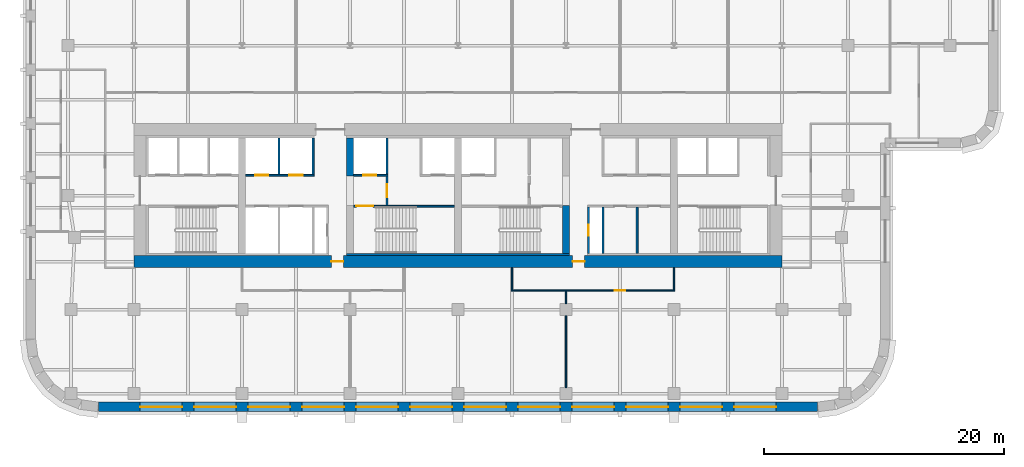
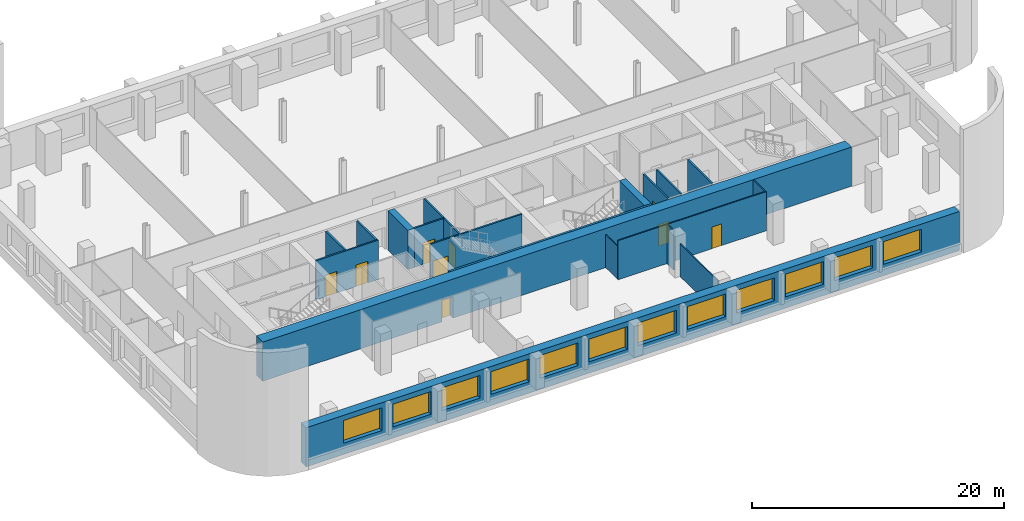
# One storey, part 4 of 9: 20 walls, 12 windows, 9 doors, 21 openings.
"""IFC4 building model written with IfcOpenShell, lengths in metres."""

from ifc_helpers import new_model, si_unit, direction, frame, frame_2d, origin, place, context, subcontext, project, spatial, rectangle, extrude, material, layer, layer_set, type_object, element, fill, save


model = new_model("IFC4")

# Units and contexts
model_context = context("Model", 3, precision=1e-05, world=origin(), true_north=direction((0.0, 1.0)))
body_context = subcontext(model_context, "Body", "Model", "MODEL_VIEW")
ifc_project = project(units=[si_unit("LENGTHUNIT", "METRE"), si_unit("AREAUNIT", "SQUARE_METRE"), si_unit("VOLUMEUNIT", "CUBIC_METRE"), si_unit("PLANEANGLEUNIT", "RADIAN"), si_unit("MASSUNIT", "GRAM", prefix="KILO")], contexts=[model_context])

# Site, building, storey
site_placement = place(None, origin())
site = spatial("IfcSite", under=ifc_project, at=site_placement, CompositionType="ELEMENT")
building_placement = place(site_placement, origin())
building = spatial("IfcBuilding", under=site, at=building_placement, Name="Zellij Exchange Tower", CompositionType="ELEMENT")
storey_placement = place(building_placement, frame((0.0, 0.0, 132.5)))
storey = spatial("IfcBuildingStorey", under=building, at=storey_placement, Name="L29", CompositionType="ELEMENT", Elevation=132.5)

# Walls
ifc_material_1 = material(Name="Concrete C70/85", Category="concrete")
ifc_layer_1 = layer(ifc_material_1, 0.60009765625)
ifc_layer_set_1 = layer_set([ifc_layer_1], Name="Concrete C70/85")
wall_type_1 = type_object("IfcWallType", Name="CORE-CW 600 C70/85", PredefinedType="SHEAR", material=ifc_layer_set_1)
wall_1_placement = place(storey_placement, frame((-9.0, -6.375, 0.0), z_axis=(0.0, 0.0, 1.0), x_axis=(0.0, 1.0, 0.0)))
element("IfcWall", 1, at=wall_1_placement, inside=storey, type_object=wall_type_1, Name="Core cross wall pier x -9 b L29", PredefinedType="SHEAR", context=body_context, shape_type="SweptSolid", body=[
    extrude(rectangle(XDim=3.175048828125, YDim=0.60009765625, at=frame_2d((1.58740234375, 0.0))), origin(), (0.0, 0.0, 1.0), 3.800048828125),
])
wall_2_placement = place(storey_placement, frame((9.0, -12.800048828125, 0.0), z_axis=(0.0, 0.0, 1.0), x_axis=(0.0, 1.0, 0.0)))
element("IfcWall", 2, at=wall_2_placement, inside=storey, type_object=wall_type_1, Name="Core cross wall pier x 9 a L29", PredefinedType="SHEAR", context=body_context, shape_type="SweptSolid", body=[
    extrude(rectangle(XDim=4.0, YDim=0.60009765625, at=frame_2d((2.0, 0.0))), origin(), (0.0, 0.0, 1.0), 3.800048828125),
])
ifc_material_2 = material(Name="Concrete C30/37", Category="concrete")
ifc_layer_2 = layer(ifc_material_2, 0.199951171875)
ifc_layer_set_2 = layer_set([ifc_layer_2], Name="Concrete C30/37")
wall_type_2 = type_object("IfcWallType", Name="CORE-LW 200 C30/37", PredefinedType="SHEAR", material=ifc_layer_set_2)
wall_3_placement = place(storey_placement, frame((-9.300048828125, -12.89990234375, 0.0), z_axis=(0.0, 0.0, 1.0), x_axis=(1.0, 0.0, 0.0)))
element("IfcWall", 3, at=wall_3_placement, inside=storey, type_object=wall_type_2, Name="Core wall lining rear.1 L29", PredefinedType="SHEAR", context=body_context, shape_type="SweptSolid", body=[
    extrude(rectangle(XDim=18.60009765625, YDim=0.199951171875, at=frame_2d((9.300048828125, 0.0))), origin(), (0.0, 0.0, 1.0), 3.800048828125),
])

# Wall, opening, door
ifc_material_3 = material(Name="Gypsum shaft wall system")
ifc_layer_3 = layer(ifc_material_3, 0.14990234375)
ifc_layer_set_3 = layer_set([ifc_layer_3], Name="Gypsum shaft wall system")
wall_type_3 = type_object("IfcWallType", Name="CORE-PW 150 Firefighting lobby wall", PredefinedType="PARTITIONING", material=ifc_layer_set_3)
wall_4_placement = place(storey_placement, frame((-5.925048828125, -8.800048828125, 0.0), z_axis=(0.0, 0.0, 1.0), x_axis=(0.0, 1.0, 0.0)))
wall_4 = element("IfcWall", 4, at=wall_4_placement, inside=storey, type_object=wall_type_3, Name="Firefighting lobby wall L29", PredefinedType="PARTITIONING", context=body_context, shape_type="SweptSolid", body=[
    extrude(rectangle(XDim=2.425048828125, YDim=0.14990234375, at=frame_2d((1.21240234375, 0.0))), origin(), (0.0, 0.0, 1.0), 3.800048828125),
])
opening_1_placement = place(wall_4_placement, frame((0.662109375, 0.0, 0.0)))
opening_1 = element("IfcOpeningElement", 5, at=opening_1_placement, cuts=wall_4, Name="Opening CA-15.15", PredefinedType="OPENING", context=body_context, shape_type="SweptSolid", body=[
    extrude(rectangle(XDim=1.10009765625, YDim=2.10009765625, at=frame_2d((0.550048828125, 1.050048828125))), frame((0.0, 0.0869140625, 0.0), z_axis=(0.0, -1.0, 0.0), x_axis=(1.0, 0.0, 0.0)), (0.0, 0.0, 1.0), 0.173828125),
])
ifc_material_4 = material(Name="Hollow metal fire door")
door_type_1 = type_object("IfcDoorType", Name="CORE-D F Firefighting lobby door 1100x2100 1 HR", OperationType="NOTDEFINED", PredefinedType="DOOR", material=ifc_material_4)
door_1_placement = place(opening_1_placement, origin())
door_1 = element("IfcDoor", 6, at=door_1_placement, inside=storey, type_object=door_type_1, Name="Firefighting lobby door CA-15.15", OperationType="SINGLE_SWING_LEFT", OverallHeight=2.10009765625, OverallWidth=1.10009765625, PredefinedType="DOOR", context=body_context, shape_type="SweptSolid", body=[
    extrude(rectangle(XDim=1.10009765625, YDim=2.10009765625, at=frame_2d((0.550048828125, 1.050048828125))), frame((0.0, 0.02490234375, 0.0), z_axis=(0.0, -1.0, 0.0), x_axis=(1.0, 0.0, 0.0)), (0.0, 0.0, 1.0), 0.050048828125),
])
fill(opening_1, door_1)

ifc_material_5 = material(Name="Gypsum board partition")
ifc_layer_4 = layer(ifc_material_5, 0.14990234375)
ifc_layer_set_4 = layer_set([ifc_layer_4], Name="Gypsum board partition")
wall_type_4 = type_object("IfcWallType", Name="CORE-PW 150 Lift lobby wall", PredefinedType="PARTITIONING", material=ifc_layer_set_4)
wall_5_placement = place(storey_placement, frame((10.875, -12.800048828125, 0.0), z_axis=(0.0, 0.0, 1.0), x_axis=(0.0, 1.0, 0.0)))
wall_5 = element("IfcWall", 7, at=wall_5_placement, inside=storey, type_object=wall_type_4, Name="Lift lobby wall L29", PredefinedType="PARTITIONING", context=body_context, shape_type="SweptSolid", body=[
    extrude(rectangle(XDim=3.85009765625, YDim=0.14990234375, at=frame_2d((1.925048828125, 0.0))), origin(), (0.0, 0.0, 1.0), 3.800048828125),
])
opening_2_placement = place(wall_5_placement, frame((1.47509765625, 0.0, 0.0)))
opening_2 = element("IfcOpeningElement", 8, at=opening_2_placement, cuts=wall_5, Name="Opening CA-15.22", PredefinedType="OPENING", context=body_context, shape_type="SweptSolid", body=[
    extrude(rectangle(XDim=0.89990234375, YDim=2.10009765625, at=frame_2d((0.449951171875, 1.050048828125))), frame((0.0, 0.0869140625, 0.0), z_axis=(0.0, -1.0, 0.0), x_axis=(1.0, 0.0, 0.0)), (0.0, 0.0, 1.0), 0.173828125),
])
door_type_2 = type_object("IfcDoorType", Name="CORE-D RD Riser door 900x2100 1.5 HR", OperationType="NOTDEFINED", PredefinedType="DOOR", material=ifc_material_4)
door_2_placement = place(opening_2_placement, origin())
door_2 = element("IfcDoor", 9, at=door_2_placement, inside=storey, type_object=door_type_2, Name="Riser door CA-15.22", OperationType="SINGLE_SWING_LEFT", OverallHeight=2.10009765625, OverallWidth=0.89990234375, PredefinedType="DOOR", context=body_context, shape_type="SweptSolid", body=[
    extrude(rectangle(XDim=0.89990234375, YDim=2.10009765625, at=frame_2d((0.449951171875, 1.050048828125))), frame((0.0, 0.02490234375, 0.0), z_axis=(0.0, -1.0, 0.0), x_axis=(1.0, 0.0, 0.0)), (0.0, 0.0, 1.0), 0.050048828125),
])
fill(opening_2, door_2)

# Walls
for number, where, z_axis, x_axis, name in (
    (10, (12.074951171875, -12.800048828125, 0.0), (0.0, 0.0, 1.0), (0.0, 1.0, 0.0), "Lift lobby wall L29"),
    (11, (14.925048828125, -12.800048828125, 0.0), (0.0, 0.0, 1.0), (0.0, 1.0, 0.0), "Lift lobby wall L29"),
):
    element("IfcWall", number, at=place(storey_placement, frame(where, z_axis=z_axis, x_axis=x_axis)), inside=storey, type_object=wall_type_4, Name=name, PredefinedType="PARTITIONING", context=body_context, shape_type="SweptSolid", body=[
        extrude(rectangle(XDim=3.85009765625, YDim=0.14990234375, at=frame_2d((1.925048828125, 0.0))), origin(), (0.0, 0.0, 1.0), 3.800048828125),
    ])
ifc_layer_5 = layer(ifc_material_3, 0.14990234375)
ifc_layer_set_5 = layer_set([ifc_layer_5], Name="Gypsum shaft wall system")
wall_type_5 = type_object("IfcWallType", Name="CORE-PW 150 Lift shaft wall", PredefinedType="PARTITIONING", material=ifc_layer_set_5)
for number, where, z_axis, x_axis, name in (
    (12, (-12.074951171875, -6.22509765625, 0.0), (0.0, 0.0, 1.0), (0.0, 1.0, 0.0), "Lift shaft wall L29"),
    (13, (-14.925048828125, -6.22509765625, 0.0), (0.0, 0.0, 1.0), (0.0, 1.0, 0.0), "Lift shaft wall L29"),
    (14, (-5.925048828125, -6.22509765625, 0.0), (0.0, 0.0, 1.0), (0.0, 1.0, 0.0), "Lift shaft wall L29"),
):
    element("IfcWall", number, at=place(storey_placement, frame(where, z_axis=z_axis, x_axis=x_axis)), inside=storey, type_object=wall_type_5, Name=name, PredefinedType="PARTITIONING", context=body_context, shape_type="SweptSolid", body=[
        extrude(rectangle(XDim=3.025146484375, YDim=0.14990234375, at=frame_2d((1.5126953125, 0.0))), origin(), (0.0, 0.0, 1.0), 3.800048828125),
    ])

# Wall, openings, doors
wall_6_placement = place(storey_placement, frame((-17.699951171875, -6.300048828125, 0.0), z_axis=(0.0, 0.0, 1.0), x_axis=(1.0, 0.0, 0.0)))
wall_6 = element("IfcWall", 15, at=wall_6_placement, inside=storey, type_object=wall_type_5, Name="Lift shaft wall L29", PredefinedType="PARTITIONING", context=body_context, shape_type="SweptSolid", body=[
    extrude(rectangle(XDim=5.699951171875, YDim=0.14990234375, at=frame_2d((2.85009765625, 0.0))), origin(), (0.0, 0.0, 1.0), 3.800048828125),
])
opening_3_placement = place(wall_6_placement, frame((0.800048828125, 0.0, 0.0)))
opening_3 = element("IfcOpeningElement", 16, at=opening_3_placement, cuts=wall_6, Name="Opening CA-15.07", PredefinedType="OPENING", context=body_context, shape_type="SweptSolid", body=[
    extrude(rectangle(XDim=1.10009765625, YDim=2.10009765625, at=frame_2d((0.550048828125, 1.050048828125))), frame((0.0, 0.0869140625, 0.0), z_axis=(0.0, -1.0, 0.0), x_axis=(1.0, 0.0, 0.0)), (0.0, 0.0, 1.0), 0.173828125),
])
opening_4_placement = place(wall_6_placement, frame((3.64990234375, 0.0, 0.0)))
opening_4 = element("IfcOpeningElement", 17, at=opening_4_placement, cuts=wall_6, Name="Opening CA-15.09", PredefinedType="OPENING", context=body_context, shape_type="SweptSolid", body=[
    extrude(rectangle(XDim=1.10009765625, YDim=2.10009765625, at=frame_2d((0.550048828125, 1.050048828125))), frame((0.0, 0.0869140625, 0.0), z_axis=(0.0, -1.0, 0.0), x_axis=(1.0, 0.0, 0.0)), (0.0, 0.0, 1.0), 0.173828125),
])
door_type_3 = type_object("IfcDoorType", Name="CORE-D LD Lift landing door 1100x2100 1.5 HR", OperationType="NOTDEFINED", PredefinedType="DOOR", material=ifc_material_4)
door_3_placement = place(opening_3_placement, origin())
door_3 = element("IfcDoor", 18, at=door_3_placement, inside=storey, type_object=door_type_3, Name="Lift landing door CA-15.07", OperationType="SLIDING_TO_LEFT", OverallHeight=2.10009765625, OverallWidth=1.10009765625, PredefinedType="DOOR", context=body_context, shape_type="SweptSolid", body=[
    extrude(rectangle(XDim=1.10009765625, YDim=2.10009765625, at=frame_2d((0.550048828125, 1.050048828125))), frame((0.0, 0.02490234375, 0.0), z_axis=(0.0, -1.0, 0.0), x_axis=(1.0, 0.0, 0.0)), (0.0, 0.0, 1.0), 0.050048828125),
])
fill(opening_3, door_3)
door_4_placement = place(opening_4_placement, origin())
door_4 = element("IfcDoor", 19, at=door_4_placement, inside=storey, type_object=door_type_3, Name="Lift landing door CA-15.09", OperationType="SLIDING_TO_LEFT", OverallHeight=2.10009765625, OverallWidth=1.10009765625, PredefinedType="DOOR", context=body_context, shape_type="SweptSolid", body=[
    extrude(rectangle(XDim=1.10009765625, YDim=2.10009765625, at=frame_2d((0.550048828125, 1.050048828125))), frame((0.0, 0.02490234375, 0.0), z_axis=(0.0, -1.0, 0.0), x_axis=(1.0, 0.0, 0.0)), (0.0, 0.0, 1.0), 0.050048828125),
])
fill(opening_4, door_4)

# Wall, opening, door
wall_7_placement = place(storey_placement, frame((-8.699951171875, -6.300048828125, 0.0), z_axis=(0.0, 0.0, 1.0), x_axis=(1.0, 0.0, 0.0)))
wall_7 = element("IfcWall", 20, at=wall_7_placement, inside=storey, type_object=wall_type_5, Name="Lift shaft wall L29", PredefinedType="PARTITIONING", context=body_context, shape_type="SweptSolid", body=[
    extrude(rectangle(XDim=2.849853515625, YDim=0.14990234375, at=frame_2d((1.4248046875, 0.0))), origin(), (0.0, 0.0, 1.0), 3.800048828125),
])
opening_5_placement = place(wall_7_placement, frame((0.800048828125, 0.0, 0.0)))
opening_5 = element("IfcOpeningElement", 21, at=opening_5_placement, cuts=wall_7, Name="Opening CA-15.14", PredefinedType="OPENING", context=body_context, shape_type="SweptSolid", body=[
    extrude(rectangle(XDim=1.10009765625, YDim=2.10009765625, at=frame_2d((0.550048828125, 1.050048828125))), frame((0.0, 0.0869140625, 0.0), z_axis=(0.0, -1.0, 0.0), x_axis=(1.0, 0.0, 0.0)), (0.0, 0.0, 1.0), 0.173828125),
])
door_5_placement = place(opening_5_placement, origin())
door_5 = element("IfcDoor", 22, at=door_5_placement, inside=storey, type_object=door_type_3, Name="Lift landing door CA-15.14", OperationType="SLIDING_TO_RIGHT", OverallHeight=2.10009765625, OverallWidth=1.10009765625, PredefinedType="DOOR", context=body_context, shape_type="SweptSolid", body=[
    extrude(rectangle(XDim=1.10009765625, YDim=2.10009765625, at=frame_2d((0.550048828125, 1.050048828125))), frame((0.0, 0.02490234375, 0.0), z_axis=(0.0, -1.0, 0.0), x_axis=(1.0, 0.0, 0.0)), (0.0, 0.0, 1.0), 0.050048828125),
])
fill(opening_5, door_5)

# Wall, openings, doors
ifc_layer_6 = layer(ifc_material_1, 1.0)
ifc_layer_set_6 = layer_set([ifc_layer_6], Name="Concrete C70/85")
wall_type_6 = type_object("IfcWallType", Name="CORE-SW 1000 C70/85", PredefinedType="SHEAR", material=ifc_layer_set_6)
wall_8_placement = place(storey_placement, frame((-27.0, -13.5, 0.0), z_axis=(0.0, 0.0, 1.0), x_axis=(1.0, 0.0, 0.0)))
wall_8 = element("IfcWall", 23, at=wall_8_placement, inside=storey, type_object=wall_type_6, Name="Core shear wall rear L29", PredefinedType="SHEAR", context=body_context, shape_type="SweptSolid", body=[
    extrude(rectangle(XDim=54.0, YDim=1.0, at=frame_2d((27.0, 0.0))), origin(), (0.0, 0.0, 1.0), 3.800048828125),
])
opening_6_placement = place(wall_8_placement, frame((16.449951171875, 0.0, 0.0)))
opening_6 = element("IfcOpeningElement", 24, at=opening_6_placement, cuts=wall_8, Name="Opening CA-15.12", PredefinedType="OPENING", context=body_context, shape_type="SweptSolid", body=[
    extrude(rectangle(XDim=1.0, YDim=2.10009765625, at=frame_2d((0.5, 1.050048828125))), frame((0.0, 0.511962890625, 0.0), z_axis=(0.0, -1.0, 0.0), x_axis=(1.0, 0.0, 0.0)), (0.0, 0.0, 1.0), 1.02392578125),
])
opening_7_placement = place(wall_8_placement, frame((36.550048828125, 0.0, 0.0)))
opening_7 = element("IfcOpeningElement", 25, at=opening_7_placement, cuts=wall_8, Name="Opening CA-15.20", PredefinedType="OPENING", context=body_context, shape_type="SweptSolid", body=[
    extrude(rectangle(XDim=1.0, YDim=2.10009765625, at=frame_2d((0.5, 1.050048828125))), frame((0.0, 0.511962890625, 0.0), z_axis=(0.0, -1.0, 0.0), x_axis=(1.0, 0.0, 0.0)), (0.0, 0.0, 1.0), 1.02392578125),
])
door_type_4 = type_object("IfcDoorType", Name="CORE-D CR Core rear door 1000x2100 20 MIN", OperationType="NOTDEFINED", PredefinedType="DOOR", material=ifc_material_4)
door_6_placement = place(opening_6_placement, origin())
door_6 = element("IfcDoor", 26, at=door_6_placement, inside=storey, type_object=door_type_4, Name="Core rear door CA-15.12", OperationType="SINGLE_SWING_RIGHT", OverallHeight=2.10009765625, OverallWidth=1.0, PredefinedType="DOOR", context=body_context, shape_type="SweptSolid", body=[
    extrude(rectangle(XDim=1.0, YDim=2.10009765625, at=frame_2d((0.5, 1.050048828125))), frame((0.0, 0.02490234375, 0.0), z_axis=(0.0, -1.0, 0.0), x_axis=(1.0, 0.0, 0.0)), (0.0, 0.0, 1.0), 0.050048828125),
])
fill(opening_6, door_6)
door_7_placement = place(opening_7_placement, origin())
door_7 = element("IfcDoor", 27, at=door_7_placement, inside=storey, type_object=door_type_4, Name="Core rear door CA-15.20", OperationType="SINGLE_SWING_LEFT", OverallHeight=2.10009765625, OverallWidth=1.0, PredefinedType="DOOR", context=body_context, shape_type="SweptSolid", body=[
    extrude(rectangle(XDim=1.0, YDim=2.10009765625, at=frame_2d((0.5, 1.050048828125))), frame((0.0, 0.02490234375, 0.0), z_axis=(0.0, -1.0, 0.0), x_axis=(1.0, 0.0, 0.0)), (0.0, 0.0, 1.0), 0.050048828125),
])
fill(opening_7, door_7)

# Wall, opening, door
ifc_layer_7 = layer(ifc_material_1, 0.14990234375)
ifc_layer_set_7 = layer_set([ifc_layer_7], Name="Concrete C70/85")
wall_type_7 = type_object("IfcWallType", Name="CORE-SWS 150 C70/85", PredefinedType="SHEAR", material=ifc_layer_set_7)
wall_9_placement = place(storey_placement, frame((-8.699951171875, -8.875, 0.0), z_axis=(0.0, 0.0, 1.0), x_axis=(1.0, 0.0, 0.0)))
wall_9 = element("IfcWall", 28, at=wall_9_placement, inside=storey, type_object=wall_type_7, Name="Stair enclosure wall L29", PredefinedType="SHEAR", context=body_context, shape_type="SweptSolid", body=[
    extrude(rectangle(XDim=8.39990234375, YDim=0.14990234375, at=frame_2d((4.199951171875, 0.0))), origin(), (0.0, 0.0, 1.0), 3.800048828125),
])
opening_8_placement = place(wall_9_placement, frame((0.22509765625, 0.0, 0.0)))
opening_8 = element("IfcOpeningElement", 29, at=opening_8_placement, cuts=wall_9, Name="Opening CA-15.13", PredefinedType="OPENING", context=body_context, shape_type="SweptSolid", body=[
    extrude(rectangle(XDim=1.39990234375, YDim=2.10009765625, at=frame_2d((0.699951171875, 1.050048828125))), frame((0.0, 0.0869140625, 0.0), z_axis=(0.0, -1.0, 0.0), x_axis=(1.0, 0.0, 0.0)), (0.0, 0.0, 1.0), 0.173828125),
])
door_type_5 = type_object("IfcDoorType", Name="CORE-D SD Stair door 1400x2100 1.5 HR", OperationType="NOTDEFINED", PredefinedType="DOOR", material=ifc_material_4)
door_8_placement = place(opening_8_placement, origin())
door_8 = element("IfcDoor", 30, at=door_8_placement, inside=storey, type_object=door_type_5, Name="Stair door CA-15.13", OperationType="DOUBLE_DOOR_SINGLE_SWING", OverallHeight=2.10009765625, OverallWidth=1.39990234375, PredefinedType="DOOR", context=body_context, shape_type="SweptSolid", body=[
    extrude(rectangle(XDim=1.39990234375, YDim=2.10009765625, at=frame_2d((0.699951171875, 1.050048828125))), frame((0.0, 0.02490234375, 0.0), z_axis=(0.0, -1.0, 0.0), x_axis=(1.0, 0.0, 0.0)), (0.0, 0.0, 1.0), 0.050048828125),
])
fill(opening_8, door_8)

# Wall, openings, windows
ifc_material_6 = material(Name="Precast concrete C40/50", Category="concrete")
ifc_layer_8 = layer(ifc_material_6, 0.800048828125)
ifc_layer_set_8 = layer_set([ifc_layer_8], Name="Precast concrete C40/50")
wall_type_8 = type_object("IfcWallType", Name="ENV-EW1 Precast stone-piered wall 800", PredefinedType="SOLIDWALL", material=ifc_layer_set_8)
wall_10_placement = place(storey_placement, frame((-29.947509765625, -25.60009765625, 0.0), z_axis=(0.0, 0.0, 1.0), x_axis=(1.0, 0.0, 0.0)))
wall_10 = element("IfcWall", 31, at=wall_10_placement, inside=storey, type_object=wall_type_8, Name="fac.L29.00", PredefinedType="SOLIDWALL", context=body_context, shape_type="SweptSolid", body=[
    extrude(rectangle(XDim=59.89501953125, YDim=0.800048828125, at=frame_2d((29.947509765625, 0.0))), origin(), (0.0, 0.0, 1.0), 3.800048828125),
])
opening_9_placement = place(wall_10_placement, frame((3.447509765625, 0.0, 1.10009765625)))
opening_9 = element("IfcOpeningElement", 32, at=opening_9_placement, cuts=wall_10, Name="Opening FZ2.01", PredefinedType="OPENING", context=body_context, shape_type="SweptSolid", body=[
    extrude(rectangle(XDim=3.5, YDim=2.199951171875, at=frame_2d((1.75, 1.10009765625))), frame((0.0, 0.412109375, 0.0), z_axis=(0.0, -1.0, 0.0), x_axis=(1.0, 0.0, 0.0)), (0.0, 0.0, 1.0), 0.823974609375),
])
opening_10_placement = place(wall_10_placement, frame((7.947509765625, 0.0, 1.10009765625)))
opening_10 = element("IfcOpeningElement", 33, at=opening_10_placement, cuts=wall_10, Name="Opening FZ2.02", PredefinedType="OPENING", context=body_context, shape_type="SweptSolid", body=[
    extrude(rectangle(XDim=3.5, YDim=2.199951171875, at=frame_2d((1.75, 1.10009765625))), frame((0.0, 0.412109375, 0.0), z_axis=(0.0, -1.0, 0.0), x_axis=(1.0, 0.0, 0.0)), (0.0, 0.0, 1.0), 0.823974609375),
])
opening_11_placement = place(wall_10_placement, frame((12.447509765625, 0.0, 1.10009765625)))
opening_11 = element("IfcOpeningElement", 34, at=opening_11_placement, cuts=wall_10, Name="Opening FZ2.03", PredefinedType="OPENING", context=body_context, shape_type="SweptSolid", body=[
    extrude(rectangle(XDim=3.5, YDim=2.199951171875, at=frame_2d((1.75, 1.10009765625))), frame((0.0, 0.412109375, 0.0), z_axis=(0.0, -1.0, 0.0), x_axis=(1.0, 0.0, 0.0)), (0.0, 0.0, 1.0), 0.823974609375),
])
opening_12_placement = place(wall_10_placement, frame((16.947509765625, 0.0, 1.10009765625)))
opening_12 = element("IfcOpeningElement", 35, at=opening_12_placement, cuts=wall_10, Name="Opening FZ2.04", PredefinedType="OPENING", context=body_context, shape_type="SweptSolid", body=[
    extrude(rectangle(XDim=3.5, YDim=2.199951171875, at=frame_2d((1.75, 1.10009765625))), frame((0.0, 0.412109375, 0.0), z_axis=(0.0, -1.0, 0.0), x_axis=(1.0, 0.0, 0.0)), (0.0, 0.0, 1.0), 0.823974609375),
])
opening_13_placement = place(wall_10_placement, frame((21.447509765625, 0.0, 1.10009765625)))
opening_13 = element("IfcOpeningElement", 36, at=opening_13_placement, cuts=wall_10, Name="Opening FZ2.05", PredefinedType="OPENING", context=body_context, shape_type="SweptSolid", body=[
    extrude(rectangle(XDim=3.5, YDim=2.199951171875, at=frame_2d((1.75, 1.10009765625))), frame((0.0, 0.412109375, 0.0), z_axis=(0.0, -1.0, 0.0), x_axis=(1.0, 0.0, 0.0)), (0.0, 0.0, 1.0), 0.823974609375),
])
opening_14_placement = place(wall_10_placement, frame((25.947509765625, 0.0, 1.10009765625)))
opening_14 = element("IfcOpeningElement", 37, at=opening_14_placement, cuts=wall_10, Name="Opening FZ2.06", PredefinedType="OPENING", context=body_context, shape_type="SweptSolid", body=[
    extrude(rectangle(XDim=3.5, YDim=2.199951171875, at=frame_2d((1.75, 1.10009765625))), frame((0.0, 0.412109375, 0.0), z_axis=(0.0, -1.0, 0.0), x_axis=(1.0, 0.0, 0.0)), (0.0, 0.0, 1.0), 0.823974609375),
])
opening_15_placement = place(wall_10_placement, frame((30.447509765625, 0.0, 1.10009765625)))
opening_15 = element("IfcOpeningElement", 38, at=opening_15_placement, cuts=wall_10, Name="Opening FZ2.07", PredefinedType="OPENING", context=body_context, shape_type="SweptSolid", body=[
    extrude(rectangle(XDim=3.5, YDim=2.199951171875, at=frame_2d((1.75, 1.10009765625))), frame((0.0, 0.412109375, 0.0), z_axis=(0.0, -1.0, 0.0), x_axis=(1.0, 0.0, 0.0)), (0.0, 0.0, 1.0), 0.823974609375),
])
opening_16_placement = place(wall_10_placement, frame((34.947509765625, 0.0, 1.10009765625)))
opening_16 = element("IfcOpeningElement", 39, at=opening_16_placement, cuts=wall_10, Name="Opening FZ2.08", PredefinedType="OPENING", context=body_context, shape_type="SweptSolid", body=[
    extrude(rectangle(XDim=3.5, YDim=2.199951171875, at=frame_2d((1.75, 1.10009765625))), frame((0.0, 0.412109375, 0.0), z_axis=(0.0, -1.0, 0.0), x_axis=(1.0, 0.0, 0.0)), (0.0, 0.0, 1.0), 0.823974609375),
])
opening_17_placement = place(wall_10_placement, frame((39.447509765625, 0.0, 1.10009765625)))
opening_17 = element("IfcOpeningElement", 40, at=opening_17_placement, cuts=wall_10, Name="Opening FZ2.09", PredefinedType="OPENING", context=body_context, shape_type="SweptSolid", body=[
    extrude(rectangle(XDim=3.5, YDim=2.199951171875, at=frame_2d((1.75, 1.10009765625))), frame((0.0, 0.412109375, 0.0), z_axis=(0.0, -1.0, 0.0), x_axis=(1.0, 0.0, 0.0)), (0.0, 0.0, 1.0), 0.823974609375),
])
opening_18_placement = place(wall_10_placement, frame((43.947509765625, 0.0, 1.10009765625)))
opening_18 = element("IfcOpeningElement", 41, at=opening_18_placement, cuts=wall_10, Name="Opening FZ2.10", PredefinedType="OPENING", context=body_context, shape_type="SweptSolid", body=[
    extrude(rectangle(XDim=3.5, YDim=2.199951171875, at=frame_2d((1.75, 1.10009765625))), frame((0.0, 0.412109375, 0.0), z_axis=(0.0, -1.0, 0.0), x_axis=(1.0, 0.0, 0.0)), (0.0, 0.0, 1.0), 0.823974609375),
])
opening_19_placement = place(wall_10_placement, frame((48.447509765625, 0.0, 1.10009765625)))
opening_19 = element("IfcOpeningElement", 42, at=opening_19_placement, cuts=wall_10, Name="Opening FZ2.11", PredefinedType="OPENING", context=body_context, shape_type="SweptSolid", body=[
    extrude(rectangle(XDim=3.5, YDim=2.199951171875, at=frame_2d((1.75, 1.10009765625))), frame((0.0, 0.412109375, 0.0), z_axis=(0.0, -1.0, 0.0), x_axis=(1.0, 0.0, 0.0)), (0.0, 0.0, 1.0), 0.823974609375),
])
opening_20_placement = place(wall_10_placement, frame((52.947509765625, 0.0, 1.10009765625)))
opening_20 = element("IfcOpeningElement", 43, at=opening_20_placement, cuts=wall_10, Name="Opening FZ2.12", PredefinedType="OPENING", context=body_context, shape_type="SweptSolid", body=[
    extrude(rectangle(XDim=3.5, YDim=2.199951171875, at=frame_2d((1.75, 1.10009765625))), frame((0.0, 0.412109375, 0.0), z_axis=(0.0, -1.0, 0.0), x_axis=(1.0, 0.0, 0.0)), (0.0, 0.0, 1.0), 0.823974609375),
])
ifc_material_7 = material(Name="Aluminium frame with insulating glass", Category="aluminium")
window_type = type_object("IfcWindowType", Name="ENV-W7 Window 3500x2200", PartitioningType="SINGLE_PANEL", PredefinedType="WINDOW", material=ifc_material_7)
window_1_placement = place(opening_9_placement, origin())
window_1 = element("IfcWindow", 44, at=window_1_placement, inside=storey, type_object=window_type, Name="Window FZ2.01", OverallHeight=2.199951171875, OverallWidth=3.5, PartitioningType="SINGLE_PANEL", PredefinedType="WINDOW", context=body_context, shape_type="SweptSolid", body=[
    extrude(rectangle(XDim=3.5, YDim=2.199951171875, at=frame_2d((1.75, 1.10009765625))), frame((0.0, 0.030029296875, 0.0), z_axis=(0.0, -1.0, 0.0), x_axis=(1.0, 0.0, 0.0)), (0.0, 0.0, 1.0), 0.06005859375),
])
fill(opening_9, window_1)
window_2_placement = place(opening_10_placement, origin())
window_2 = element("IfcWindow", 45, at=window_2_placement, inside=storey, type_object=window_type, Name="Window FZ2.02", OverallHeight=2.199951171875, OverallWidth=3.5, PartitioningType="SINGLE_PANEL", PredefinedType="WINDOW", context=body_context, shape_type="SweptSolid", body=[
    extrude(rectangle(XDim=3.5, YDim=2.199951171875, at=frame_2d((1.75, 1.10009765625))), frame((0.0, 0.030029296875, 0.0), z_axis=(0.0, -1.0, 0.0), x_axis=(1.0, 0.0, 0.0)), (0.0, 0.0, 1.0), 0.06005859375),
])
fill(opening_10, window_2)
window_3_placement = place(opening_11_placement, origin())
window_3 = element("IfcWindow", 46, at=window_3_placement, inside=storey, type_object=window_type, Name="Window FZ2.03", OverallHeight=2.199951171875, OverallWidth=3.5, PartitioningType="SINGLE_PANEL", PredefinedType="WINDOW", context=body_context, shape_type="SweptSolid", body=[
    extrude(rectangle(XDim=3.5, YDim=2.199951171875, at=frame_2d((1.75, 1.10009765625))), frame((0.0, 0.030029296875, 0.0), z_axis=(0.0, -1.0, 0.0), x_axis=(1.0, 0.0, 0.0)), (0.0, 0.0, 1.0), 0.06005859375),
])
fill(opening_11, window_3)
window_4_placement = place(opening_12_placement, origin())
window_4 = element("IfcWindow", 47, at=window_4_placement, inside=storey, type_object=window_type, Name="Window FZ2.04", OverallHeight=2.199951171875, OverallWidth=3.5, PartitioningType="SINGLE_PANEL", PredefinedType="WINDOW", context=body_context, shape_type="SweptSolid", body=[
    extrude(rectangle(XDim=3.5, YDim=2.199951171875, at=frame_2d((1.75, 1.10009765625))), frame((0.0, 0.030029296875, 0.0), z_axis=(0.0, -1.0, 0.0), x_axis=(1.0, 0.0, 0.0)), (0.0, 0.0, 1.0), 0.06005859375),
])
fill(opening_12, window_4)
window_5_placement = place(opening_13_placement, origin())
window_5 = element("IfcWindow", 48, at=window_5_placement, inside=storey, type_object=window_type, Name="Window FZ2.05", OverallHeight=2.199951171875, OverallWidth=3.5, PartitioningType="SINGLE_PANEL", PredefinedType="WINDOW", context=body_context, shape_type="SweptSolid", body=[
    extrude(rectangle(XDim=3.5, YDim=2.199951171875, at=frame_2d((1.75, 1.10009765625))), frame((0.0, 0.030029296875, 0.0), z_axis=(0.0, -1.0, 0.0), x_axis=(1.0, 0.0, 0.0)), (0.0, 0.0, 1.0), 0.06005859375),
])
fill(opening_13, window_5)
window_6_placement = place(opening_14_placement, origin())
window_6 = element("IfcWindow", 49, at=window_6_placement, inside=storey, type_object=window_type, Name="Window FZ2.06", OverallHeight=2.199951171875, OverallWidth=3.5, PartitioningType="SINGLE_PANEL", PredefinedType="WINDOW", context=body_context, shape_type="SweptSolid", body=[
    extrude(rectangle(XDim=3.5, YDim=2.199951171875, at=frame_2d((1.75, 1.10009765625))), frame((0.0, 0.030029296875, 0.0), z_axis=(0.0, -1.0, 0.0), x_axis=(1.0, 0.0, 0.0)), (0.0, 0.0, 1.0), 0.06005859375),
])
fill(opening_14, window_6)
window_7_placement = place(opening_15_placement, origin())
window_7 = element("IfcWindow", 50, at=window_7_placement, inside=storey, type_object=window_type, Name="Window FZ2.07", OverallHeight=2.199951171875, OverallWidth=3.5, PartitioningType="SINGLE_PANEL", PredefinedType="WINDOW", context=body_context, shape_type="SweptSolid", body=[
    extrude(rectangle(XDim=3.5, YDim=2.199951171875, at=frame_2d((1.75, 1.10009765625))), frame((0.0, 0.030029296875, 0.0), z_axis=(0.0, -1.0, 0.0), x_axis=(1.0, 0.0, 0.0)), (0.0, 0.0, 1.0), 0.06005859375),
])
fill(opening_15, window_7)
window_8_placement = place(opening_16_placement, origin())
window_8 = element("IfcWindow", 51, at=window_8_placement, inside=storey, type_object=window_type, Name="Window FZ2.08", OverallHeight=2.199951171875, OverallWidth=3.5, PartitioningType="SINGLE_PANEL", PredefinedType="WINDOW", context=body_context, shape_type="SweptSolid", body=[
    extrude(rectangle(XDim=3.5, YDim=2.199951171875, at=frame_2d((1.75, 1.10009765625))), frame((0.0, 0.030029296875, 0.0), z_axis=(0.0, -1.0, 0.0), x_axis=(1.0, 0.0, 0.0)), (0.0, 0.0, 1.0), 0.06005859375),
])
fill(opening_16, window_8)
window_9_placement = place(opening_17_placement, origin())
window_9 = element("IfcWindow", 52, at=window_9_placement, inside=storey, type_object=window_type, Name="Window FZ2.09", OverallHeight=2.199951171875, OverallWidth=3.5, PartitioningType="SINGLE_PANEL", PredefinedType="WINDOW", context=body_context, shape_type="SweptSolid", body=[
    extrude(rectangle(XDim=3.5, YDim=2.199951171875, at=frame_2d((1.75, 1.10009765625))), frame((0.0, 0.030029296875, 0.0), z_axis=(0.0, -1.0, 0.0), x_axis=(1.0, 0.0, 0.0)), (0.0, 0.0, 1.0), 0.06005859375),
])
fill(opening_17, window_9)
window_10_placement = place(opening_18_placement, origin())
window_10 = element("IfcWindow", 53, at=window_10_placement, inside=storey, type_object=window_type, Name="Window FZ2.10", OverallHeight=2.199951171875, OverallWidth=3.5, PartitioningType="SINGLE_PANEL", PredefinedType="WINDOW", context=body_context, shape_type="SweptSolid", body=[
    extrude(rectangle(XDim=3.5, YDim=2.199951171875, at=frame_2d((1.75, 1.10009765625))), frame((0.0, 0.030029296875, 0.0), z_axis=(0.0, -1.0, 0.0), x_axis=(1.0, 0.0, 0.0)), (0.0, 0.0, 1.0), 0.06005859375),
])
fill(opening_18, window_10)
window_11_placement = place(opening_19_placement, origin())
window_11 = element("IfcWindow", 54, at=window_11_placement, inside=storey, type_object=window_type, Name="Window FZ2.11", OverallHeight=2.199951171875, OverallWidth=3.5, PartitioningType="SINGLE_PANEL", PredefinedType="WINDOW", context=body_context, shape_type="SweptSolid", body=[
    extrude(rectangle(XDim=3.5, YDim=2.199951171875, at=frame_2d((1.75, 1.10009765625))), frame((0.0, 0.030029296875, 0.0), z_axis=(0.0, -1.0, 0.0), x_axis=(1.0, 0.0, 0.0)), (0.0, 0.0, 1.0), 0.06005859375),
])
fill(opening_19, window_11)
window_12_placement = place(opening_20_placement, origin())
window_12 = element("IfcWindow", 55, at=window_12_placement, inside=storey, type_object=window_type, Name="Window FZ2.12", OverallHeight=2.199951171875, OverallWidth=3.5, PartitioningType="SINGLE_PANEL", PredefinedType="WINDOW", context=body_context, shape_type="SweptSolid", body=[
    extrude(rectangle(XDim=3.5, YDim=2.199951171875, at=frame_2d((1.75, 1.10009765625))), frame((0.0, 0.030029296875, 0.0), z_axis=(0.0, -1.0, 0.0), x_axis=(1.0, 0.0, 0.0)), (0.0, 0.0, 1.0), 0.06005859375),
])
fill(opening_20, window_12)

# Walls
ifc_material_8 = material(Name="Gypsum board partition on steel studs", Category="steel")
ifc_layer_9 = layer(ifc_material_8, 0.10009765625)
ifc_layer_set_9 = layer_set([ifc_layer_9], Name="Gypsum board partition on steel studs")
wall_type_9 = type_object("IfcWallType", Name="FIT-PARTITION-100", PredefinedType="PARTITIONING", material=ifc_layer_set_9)
wall_11_placement = place(storey_placement, frame((9.0, -24.0, 0.0), z_axis=(0.0, 0.0, 1.0), x_axis=(0.0, 1.0, 0.0)))
element("IfcWall", 56, at=wall_11_placement, inside=storey, type_object=wall_type_9, Name="FIT-PARTITION-100 003", PredefinedType="PARTITIONING", context=body_context, shape_type="SweptSolid", body=[
    extrude(rectangle(XDim=6.0, YDim=0.10009765625, at=frame_2d((3.0, 0.0))), origin(), (0.0, 0.0, 1.0), 3.18798828125),
])
wall_12_placement = place(storey_placement, frame((9.0, -17.0, 0.0), z_axis=(0.0, 0.0, 1.0), x_axis=(0.0, 1.0, 0.0)))
element("IfcWall", 57, at=wall_12_placement, inside=storey, type_object=wall_type_9, Name="FIT-PARTITION-100 004", PredefinedType="PARTITIONING", context=body_context, shape_type="SweptSolid", body=[
    extrude(rectangle(XDim=1.050048828125, YDim=0.10009765625, at=frame_2d((0.52490234375, 0.0))), origin(), (0.0, 0.0, 1.0), 3.800048828125),
])

# Wall, opening, door
wall_13_placement = place(storey_placement, frame((4.449951171875, -15.89990234375, 0.0), z_axis=(0.0, 0.0, 1.0), x_axis=(1.0, 0.0, 0.0)))
wall_13 = element("IfcWall", 58, at=wall_13_placement, inside=storey, type_object=wall_type_9, Name="FIT-PARTITION-100 008", PredefinedType="PARTITIONING", context=body_context, shape_type="SweptSolid", body=[
    extrude(rectangle(XDim=13.60009765625, YDim=0.10009765625, at=frame_2d((6.800048828125, 0.0))), origin(), (0.0, 0.0, 1.0), 3.800048828125),
])
opening_21_placement = place(wall_13_placement, frame((8.60009765625, 0.0, 0.0)))
opening_21 = element("IfcOpeningElement", 59, at=opening_21_placement, cuts=wall_13, Name="Opening TG.03", PredefinedType="OPENING", context=body_context, shape_type="SweptSolid", body=[
    extrude(rectangle(XDim=0.89990234375, YDim=2.10009765625, at=frame_2d((0.449951171875, 1.050048828125))), frame((0.0, 0.06201171875, 0.0), z_axis=(0.0, -1.0, 0.0), x_axis=(1.0, 0.0, 0.0)), (0.0, 0.0, 1.0), 0.1240234375),
])
ifc_material_9 = material(Name="Timber door set", Category="wood")
door_type_6 = type_object("IfcDoorType", Name="FIT-D1-ROOM-900X2100", OperationType="SINGLE_SWING_LEFT", PredefinedType="DOOR", material=ifc_material_9)
door_9_placement = place(opening_21_placement, origin())
door_9 = element("IfcDoor", 60, at=door_9_placement, inside=storey, type_object=door_type_6, Name="Door TG.03", OperationType="SINGLE_SWING_LEFT", OverallHeight=2.10009765625, OverallWidth=0.89990234375, PredefinedType="DOOR", context=body_context, shape_type="SweptSolid", body=[
    extrude(rectangle(XDim=0.89990234375, YDim=2.10009765625, at=frame_2d((0.449951171875, 1.050048828125))), frame((0.0, 0.02490234375, 0.0), z_axis=(0.0, -1.0, 0.0), x_axis=(1.0, 0.0, 0.0)), (0.0, 0.0, 1.0), 0.050048828125),
])
fill(opening_21, door_9)

# Walls
wall_14_placement = place(storey_placement, frame((4.5, -15.85009765625, 0.0), z_axis=(0.0, 0.0, 1.0), x_axis=(0.0, 1.0, 0.0)))
element("IfcWall", 61, at=wall_14_placement, inside=storey, type_object=wall_type_9, Name="FIT-PARTITION-100 009", PredefinedType="PARTITIONING", context=body_context, shape_type="SweptSolid", body=[
    extrude(rectangle(XDim=1.85009765625, YDim=0.10009765625, at=frame_2d((0.925048828125, 0.0))), origin(), (0.0, 0.0, 1.0), 3.197998046875),
])
wall_15_placement = place(storey_placement, frame((18.0, -15.85009765625, 0.0), z_axis=(0.0, 0.0, 1.0), x_axis=(0.0, 1.0, 0.0)))
element("IfcWall", 62, at=wall_15_placement, inside=storey, type_object=wall_type_9, Name="FIT-PARTITION-100 010", PredefinedType="PARTITIONING", context=body_context, shape_type="SweptSolid", body=[
    extrude(rectangle(XDim=1.85009765625, YDim=0.10009765625, at=frame_2d((0.925048828125, 0.0))), origin(), (0.0, 0.0, 1.0), 3.800048828125),
])

save(model, "model.ifc")
